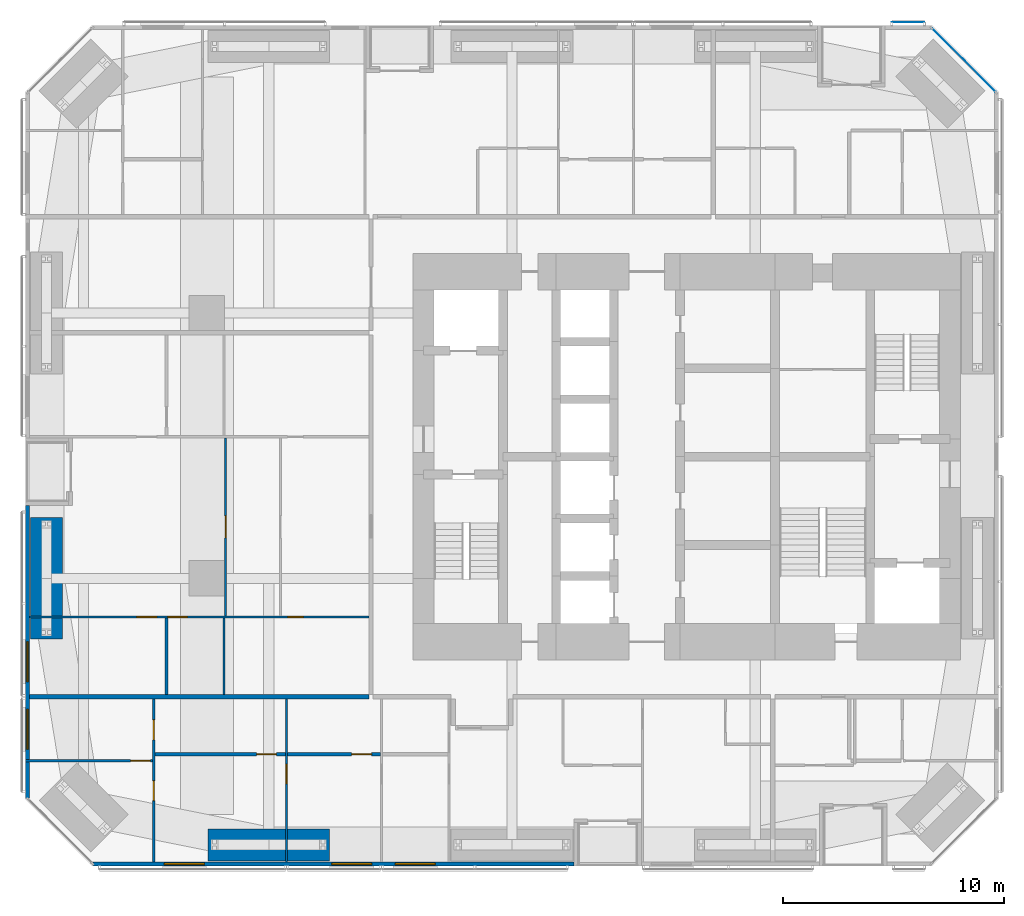
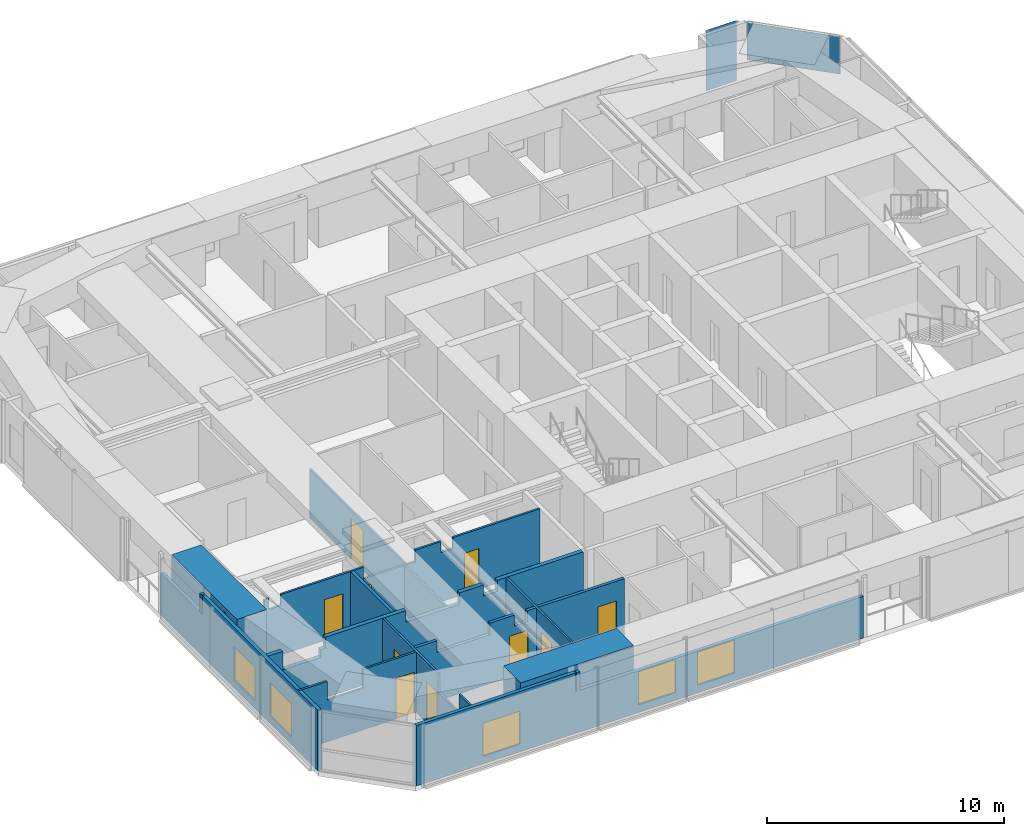
# One storey, part 17 of 24: 14 walls, 10 doors, 5 windows, 2 plates, 15 openings, 2 elements without a shape of their own.
"""IFC4 building model written with IfcOpenShell, lengths in metres."""

from ifc_helpers import new_model, si_unit, direction, frame, frame_2d, origin, origin_2d, place, context, subcontext, project, spatial, polyline, rectangle, outline, extrude, material, layer, layer_set, constituent, constituent_set, type_object, element, fill, aggregate, save


model = new_model("IFC4")

# Units and contexts
model_context = context("Model", 3, precision=1e-05, world=origin(), true_north=direction((0.0, 1.0)))
body_context = subcontext(model_context, "Body", "Model", "MODEL_VIEW")
ifc_project = project(units=[si_unit("LENGTHUNIT", "METRE"), si_unit("AREAUNIT", "SQUARE_METRE"), si_unit("VOLUMEUNIT", "CUBIC_METRE"), si_unit("PLANEANGLEUNIT", "RADIAN"), si_unit("MASSUNIT", "GRAM", prefix="KILO")], contexts=[model_context])

# Site, building, storey
site_placement = place(None, origin())
site = spatial("IfcSite", under=ifc_project, at=site_placement, CompositionType="ELEMENT")
building_placement = place(site_placement, origin())
building = spatial("IfcBuilding", under=site, at=building_placement, Name="Jalousie Tower", CompositionType="ELEMENT")
storey_placement = place(building_placement, frame((0.0, 0.0, 54.5)))
storey = spatial("IfcBuildingStorey", under=building, at=storey_placement, Name="L14", CompositionType="ELEMENT", Elevation=54.5)

# Curtain wall, plate
ifc_material_1 = material(Name="Aluminium curtain wall", Category="aluminium")
curtain_wall_type_1 = type_object("IfcCurtainWallType", Name="CORNER WINDOW WALL", PredefinedType="USERDEFINED", material=ifc_material_1)
curtain_wall_1_placement = place(storey_placement, origin())
curtain_wall_1 = element("IfcCurtainWall", 1, at=curtain_wall_1_placement, inside=storey, type_object=curtain_wall_type_1, Name="Corner Window Wall L14 4", ObjectType="CORNER WINDOW WALL", PredefinedType="USERDEFINED")
ifc_material_2 = material(Name="Laminated impact-rated spandrel glass", Category="glass")
ifc_layer_1 = layer(ifc_material_2, 0.028076171875)
ifc_layer_set_1 = layer_set([ifc_layer_1], Name="Laminated impact-rated spandrel glass")
plate_type_1 = type_object("IfcPlateType", Name="CORNER WINDOW WALL PANEL", PredefinedType="CURTAIN_PANEL", material=ifc_layer_set_1)
plate_1_placement = place(storey_placement, frame((44.4306640625, 36.4306640625, 1.130126953125), z_axis=(0.0, 0.0, 1.0), x_axis=(-0.707106781187, 0.707106781187, 0.0)))
plate_1 = element("IfcPlate", 2, at=plate_1_placement, type_object=plate_type_1, Name="CW-C panel 1.2", PredefinedType="CURTAIN_PANEL", context=body_context, shape_type="SweptSolid", body=[
    extrude(rectangle(XDim=4.071533203125, YDim=0.028076171875, at=origin_2d()), origin(), (0.0, 0.0, 1.0), 1.919921875),
])
aggregate(curtain_wall_1, [plate_1])

ifc_material_3 = material(Name="Perforated aluminium sheet", Category="aluminium")
curtain_wall_type_2 = type_object("IfcCurtainWallType", Name="SOLAR SCREEN SS-1", PredefinedType="USERDEFINED", material=ifc_material_3)
curtain_wall_2_placement = place(storey_placement, origin())
curtain_wall_2 = element("IfcCurtainWall", 3, at=curtain_wall_2_placement, inside=storey, type_object=curtain_wall_type_2, Name="Solar screen L14", ObjectType="SOLAR SCREEN SS-1", PredefinedType="USERDEFINED")
ifc_material_4 = material(Name="Perforated aluminium sheet", Category="aluminium")
ifc_layer_2 = layer(ifc_material_4, 0.006103515625)
ifc_layer_set_2 = layer_set([ifc_layer_2], Name="Perforated aluminium sheet")
plate_type_2 = type_object("IfcPlateType", Name="SOLAR SCREEN SS-1 PANEL", PredefinedType="CURTAIN_PANEL", material=ifc_layer_set_2)
plate_2_placement = place(storey_placement, frame((41.9111328125, 38.150390625, 0.0), z_axis=(0.0, 0.0, 1.0), x_axis=(-1.0, 0.0, 0.0)))
plate_2 = element("IfcPlate", 4, at=plate_2_placement, type_object=plate_type_2, Name="SS1 perforated panel 1", PredefinedType="CURTAIN_PANEL", context=body_context, shape_type="SweptSolid", body=[
    extrude(rectangle(XDim=1.47509765625, YDim=0.006103515625, at=origin_2d()), origin(), (0.0, 0.0, 1.0), 3.110107421875),
])
aggregate(curtain_wall_2, [plate_2])

# Wall, opening, door
ifc_material_5 = material(Name="Concrete block ASTM C90", Category="concrete")
ifc_constituent_1 = constituent(ifc_material_5, Name="Body")
ifc_material_6 = material(Name="Render")
ifc_constituent_2 = constituent(ifc_material_6, Name="Finish")
ifc_constituent_set_1 = constituent_set(constituents=[ifc_constituent_1, ifc_constituent_2])
wall_type_1 = type_object("IfcWallType", Name="BATHROOM WALL 150", PredefinedType="PLUMBINGWALL", material=ifc_constituent_set_1)
wall_1_placement = place(storey_placement, frame((7.85009765625, 5.050048828125, 0.0), z_axis=(0.0, 0.0, 1.0), x_axis=(1.0, 0.0, 0.0)))
wall_1 = element("IfcWall", 5, at=wall_1_placement, inside=storey, type_object=wall_type_1, Name="Bathroom Wall 150 L14", PredefinedType="PLUMBINGWALL", context=body_context, shape_type="SweptSolid", body=[
    extrude(outline(polyline([(0.0, 0.0), (5.89990234375, 0.0), (5.89990234375, 3.110107421875), (5.46240234375, 3.110107421875), (5.46240234375, 2.541015625), (4.837646484375, 2.541015625), (4.837646484375, 3.110107421875), (3.635009765625, 3.110107421875), (3.635009765625, 2.510009765625), (1.06494140625, 2.510009765625), (1.06494140625, 3.110107421875), (0.0, 3.110107421875), (0.0, 0.0)])), frame((0.0, 0.074951171875, 0.0), z_axis=(0.0, -1.0, 0.0), x_axis=(1.0, 0.0, 0.0)), (0.0, 0.0, 1.0), 0.14990234375),
])
opening_1_placement = place(wall_1_placement, frame((4.60009765625, 0.0, 0.0)))
opening_1 = element("IfcOpeningElement", 6, at=opening_1_placement, cuts=wall_1, Name="Opening D3", PredefinedType="OPENING", context=body_context, shape_type="SweptSolid", body=[
    extrude(rectangle(XDim=0.89990234375, YDim=2.10009765625, at=frame_2d((0.449951171875, 1.050048828125))), frame((0.0, 0.0849609375, 0.0), z_axis=(0.0, -1.0, 0.0), x_axis=(1.0, 0.0, 0.0)), (0.0, 0.0, 1.0), 0.169921875),
])
ifc_material_7 = material(Name="Timber door", Category="wood")
door_type_1 = type_object("IfcDoorType", Name="BATHROOM DOOR 900", OperationType="SINGLE_SWING_LEFT", PredefinedType="DOOR", material=ifc_material_7)
door_1_placement = place(opening_1_placement, origin())
door_1 = element("IfcDoor", 7, at=door_1_placement, inside=storey, type_object=door_type_1, Name="Apartment 1401 bedroom 2 bathroom door", OperationType="SINGLE_SWING_RIGHT", OverallHeight=2.10009765625, OverallWidth=0.89990234375, PredefinedType="DOOR", context=body_context, shape_type="SweptSolid", body=[
    extrude(rectangle(XDim=0.89990234375, YDim=2.10009765625, at=frame_2d((0.449951171875, 1.050048828125))), frame((0.0, 0.02490234375, 0.0), z_axis=(0.0, -1.0, 0.0), x_axis=(1.0, 0.0, 0.0)), (0.0, 0.0, 1.0), 0.050048828125),
])
fill(opening_1, door_1)

wall_2_placement = place(storey_placement, frame((13.85009765625, 5.050048828125, 0.0), z_axis=(0.0, 0.0, 1.0), x_axis=(1.0, 0.0, 0.0)))
wall_2 = element("IfcWall", 8, at=wall_2_placement, inside=storey, type_object=wall_type_1, Name="Bathroom Wall 150 L14", PredefinedType="PLUMBINGWALL", context=body_context, shape_type="SweptSolid", body=[
    extrude(rectangle(XDim=4.199951171875, YDim=0.14990234375, at=frame_2d((2.10009765625, 0.0))), origin(), (0.0, 0.0, 1.0), 3.110107421875),
])
opening_2_placement = place(wall_2_placement, frame((2.89990234375, 0.0, 0.0)))
opening_2 = element("IfcOpeningElement", 9, at=opening_2_placement, cuts=wall_2, Name="Opening D3", PredefinedType="OPENING", context=body_context, shape_type="SweptSolid", body=[
    extrude(rectangle(XDim=0.89990234375, YDim=2.10009765625, at=frame_2d((0.449951171875, 1.050048828125))), frame((0.0, 0.0849609375, 0.0), z_axis=(0.0, -1.0, 0.0), x_axis=(1.0, 0.0, 0.0)), (0.0, 0.0, 1.0), 0.169921875),
])
door_2_placement = place(opening_2_placement, origin())
door_2 = element("IfcDoor", 10, at=door_2_placement, inside=storey, type_object=door_type_1, Name="Apartment 1401 bedroom 3 bathroom door", OperationType="SINGLE_SWING_RIGHT", OverallHeight=2.10009765625, OverallWidth=0.89990234375, PredefinedType="DOOR", context=body_context, shape_type="SweptSolid", body=[
    extrude(rectangle(XDim=0.89990234375, YDim=2.10009765625, at=frame_2d((0.449951171875, 1.050048828125))), frame((0.0, 0.02490234375, 0.0), z_axis=(0.0, -1.0, 0.0), x_axis=(1.0, 0.0, 0.0)), (0.0, 0.0, 1.0), 0.050048828125),
])
fill(opening_2, door_2)

# Wall
wall_3_placement = place(storey_placement, frame((8.375, 7.75, 0.0), z_axis=(0.0, 0.0, 1.0), x_axis=(0.0, 1.0, 0.0)))
element("IfcWall", 11, at=wall_3_placement, inside=storey, type_object=wall_type_1, Name="Bathroom Wall 150 L14", PredefinedType="PLUMBINGWALL", context=body_context, shape_type="SweptSolid", body=[
    extrude(rectangle(XDim=3.449951171875, YDim=0.14990234375, at=frame_2d((1.72509765625, 0.0))), origin(), (0.0, 0.0, 1.0), 3.110107421875),
])

# Wall, openings, windows
ifc_material_8 = material(Name="Concrete f'c 40 MPa", Category="concrete")
ifc_constituent_3 = constituent(ifc_material_8, Name="Body")
ifc_material_9 = material(Name="Render, pastel coral")
ifc_constituent_4 = constituent(ifc_material_9, Name="Finish")
ifc_constituent_set_2 = constituent_set(constituents=[ifc_constituent_3, ifc_constituent_4])
wall_type_2 = type_object("IfcWallType", Name="EXTERNAL WALL 175 CORAL RENDER", PredefinedType="SOLIDWALL", material=ifc_constituent_set_2)
wall_4_placement = place(storey_placement, frame((5.05126953125, 0.08740234375, 0.0), z_axis=(0.0, 0.0, 1.0), x_axis=(1.0, 0.0, 0.0)))
wall_4 = element("IfcWall", 12, at=wall_4_placement, inside=storey, type_object=wall_type_2, Name="External Wall 175 Coral Render L14", PredefinedType="SOLIDWALL", context=body_context, shape_type="SweptSolid", body=[
    extrude(outline(polyline([(0.0, 0.0), (21.748779296875, 0.0), (21.748779296875, 2.14990234375), (7.94873046875, 2.14990234375), (7.94873046875, 3.110107421875), (7.79296875, 3.110107421875), (7.79296875, 2.14990234375), (7.74462890625, 2.14990234375), (7.74462890625, 3.110107421875), (0.0, 3.110107421875), (0.0, 0.0)])), frame((0.0, 0.08740234375, 0.0), z_axis=(0.0, -1.0, 0.0), x_axis=(1.0, 0.0, 0.0)), (0.0, 0.0, 1.0), 0.175048828125),
])
opening_3_placement = place(wall_4_placement, frame((3.233642578125, 0.0, 0.39990234375)))
opening_3 = element("IfcOpeningElement", 13, at=opening_3_placement, cuts=wall_4, Name="Opening W-BED170", PredefinedType="OPENING", context=body_context, shape_type="SweptSolid", body=[
    extrude(rectangle(XDim=1.800048828125, YDim=1.699951171875, at=frame_2d((0.89990234375, 0.85009765625))), frame((0.0, 0.097412109375, 0.0), z_axis=(0.0, -1.0, 0.0), x_axis=(1.0, 0.0, 0.0)), (0.0, 0.0, 1.0), 0.195068359375),
])
opening_4_placement = place(wall_4_placement, frame((10.80615234375, 0.0, 0.39990234375)))
opening_4 = element("IfcOpeningElement", 14, at=opening_4_placement, cuts=wall_4, Name="Opening W-BED170", PredefinedType="OPENING", context=body_context, shape_type="SweptSolid", body=[
    extrude(rectangle(XDim=1.800048828125, YDim=1.699951171875, at=frame_2d((0.89990234375, 0.85009765625))), frame((0.0, 0.097412109375, 0.0), z_axis=(0.0, -1.0, 0.0), x_axis=(1.0, 0.0, 0.0)), (0.0, 0.0, 1.0), 0.195068359375),
])
opening_5_placement = place(wall_4_placement, frame((13.673583984375, 0.0, 0.39990234375)))
opening_5 = element("IfcOpeningElement", 15, at=opening_5_placement, cuts=wall_4, Name="Opening W-BED170", PredefinedType="OPENING", context=body_context, shape_type="SweptSolid", body=[
    extrude(rectangle(XDim=1.800048828125, YDim=1.699951171875, at=frame_2d((0.89990234375, 0.85009765625))), frame((0.0, 0.097412109375, 0.0), z_axis=(0.0, -1.0, 0.0), x_axis=(1.0, 0.0, 0.0)), (0.0, 0.0, 1.0), 0.195068359375),
])
ifc_material_10 = material(Name="Aluminium frame, impact-rated glazing", Category="aluminium")
window_type = type_object("IfcWindowType", Name="WINDOW BED 1800x1700", PartitioningType="SINGLE_PANEL", PredefinedType="WINDOW", material=ifc_material_10)
window_1_placement = place(opening_3_placement, origin())
window_1 = element("IfcWindow", 16, at=window_1_placement, inside=storey, type_object=window_type, Name="Apartment 1401 bedroom 2 window", OverallHeight=1.699951171875, OverallWidth=1.800048828125, PartitioningType="SINGLE_PANEL", PredefinedType="WINDOW", context=body_context, shape_type="SweptSolid", body=[
    extrude(rectangle(XDim=1.800048828125, YDim=1.699951171875, at=frame_2d((0.89990234375, 0.85009765625))), frame((0.0, 0.030029296875, 0.0), z_axis=(0.0, -1.0, 0.0), x_axis=(1.0, 0.0, 0.0)), (0.0, 0.0, 1.0), 0.06005859375),
])
fill(opening_3, window_1)
window_2_placement = place(opening_4_placement, origin())
window_2 = element("IfcWindow", 17, at=window_2_placement, inside=storey, type_object=window_type, Name="Apartment 1401 bedroom 3 window", OverallHeight=1.699951171875, OverallWidth=1.800048828125, PartitioningType="SINGLE_PANEL", PredefinedType="WINDOW", context=body_context, shape_type="SweptSolid", body=[
    extrude(rectangle(XDim=1.800048828125, YDim=1.699951171875, at=frame_2d((0.89990234375, 0.85009765625))), frame((0.0, 0.030029296875, 0.0), z_axis=(0.0, -1.0, 0.0), x_axis=(1.0, 0.0, 0.0)), (0.0, 0.0, 1.0), 0.06005859375),
])
fill(opening_4, window_2)
window_3_placement = place(opening_5_placement, origin())
window_3 = element("IfcWindow", 18, at=window_3_placement, inside=storey, type_object=window_type, Name="Apartment 1401 bedroom 4 window", OverallHeight=1.699951171875, OverallWidth=1.800048828125, PartitioningType="SINGLE_PANEL", PredefinedType="WINDOW", context=body_context, shape_type="SweptSolid", body=[
    extrude(rectangle(XDim=1.800048828125, YDim=1.699951171875, at=frame_2d((0.89990234375, 0.85009765625))), frame((0.0, 0.030029296875, 0.0), z_axis=(0.0, -1.0, 0.0), x_axis=(1.0, 0.0, 0.0)), (0.0, 0.0, 1.0), 0.06005859375),
])
fill(opening_5, window_3)

wall_5_placement = place(storey_placement, frame((2.08740234375, 16.300048828125, 0.0), z_axis=(0.0, 0.0, 1.0), x_axis=(0.0, -1.0, 0.0)))
wall_5 = element("IfcWall", 19, at=wall_5_placement, inside=storey, type_object=wall_type_2, Name="External Wall 175 Coral Render L14", PredefinedType="SOLIDWALL", context=body_context, shape_type="SweptSolid", body=[
    extrude(outline(polyline([(0.0, 0.0), (13.248779296875, 0.0), (13.248779296875, 3.110107421875), (3.5185546875, 3.110107421875), (3.5185546875, 2.14990234375), (3.42578125, 2.14990234375), (3.42578125, 3.110107421875), (3.300048828125, 3.110107421875), (3.300048828125, 2.14990234375), (0.0, 2.14990234375), (0.0, 0.0)])), frame((0.0, 0.08740234375, 0.0), z_axis=(0.0, -1.0, 0.0), x_axis=(1.0, 0.0, 0.0)), (0.0, 0.0, 1.0), 0.175048828125),
])
opening_6_placement = place(wall_5_placement, frame((6.175048828125, 0.0, 0.39990234375)))
opening_6 = element("IfcOpeningElement", 20, at=opening_6_placement, cuts=wall_5, Name="Opening W-BED170", PredefinedType="OPENING", context=body_context, shape_type="SweptSolid", body=[
    extrude(rectangle(XDim=1.800048828125, YDim=1.699951171875, at=frame_2d((0.89990234375, 0.85009765625))), frame((0.0, 0.097412109375, 0.0), z_axis=(0.0, -1.0, 0.0), x_axis=(1.0, 0.0, 0.0)), (0.0, 0.0, 1.0), 0.195068359375),
])
opening_7_placement = place(wall_5_placement, frame((9.226806640625, 0.0, 0.39990234375)))
opening_7 = element("IfcOpeningElement", 21, at=opening_7_placement, cuts=wall_5, Name="Opening W-BED170", PredefinedType="OPENING", context=body_context, shape_type="SweptSolid", body=[
    extrude(rectangle(XDim=1.800048828125, YDim=1.699951171875, at=frame_2d((0.89990234375, 0.85009765625))), frame((0.0, 0.097412109375, 0.0), z_axis=(0.0, -1.0, 0.0), x_axis=(1.0, 0.0, 0.0)), (0.0, 0.0, 1.0), 0.195068359375),
])
window_4_placement = place(opening_6_placement, origin())
window_4 = element("IfcWindow", 22, at=window_4_placement, inside=storey, type_object=window_type, Name="Apartment 1405 bedroom 1 window", OverallHeight=1.699951171875, OverallWidth=1.800048828125, PartitioningType="SINGLE_PANEL", PredefinedType="WINDOW", context=body_context, shape_type="SweptSolid", body=[
    extrude(rectangle(XDim=1.800048828125, YDim=1.699951171875, at=frame_2d((0.89990234375, 0.85009765625))), frame((0.0, 0.030029296875, 0.0), z_axis=(0.0, -1.0, 0.0), x_axis=(1.0, 0.0, 0.0)), (0.0, 0.0, 1.0), 0.06005859375),
])
fill(opening_6, window_4)
window_5_placement = place(opening_7_placement, origin())
window_5 = element("IfcWindow", 23, at=window_5_placement, inside=storey, type_object=window_type, Name="Apartment 1401 bedroom 1 window", OverallHeight=1.699951171875, OverallWidth=1.800048828125, PartitioningType="SINGLE_PANEL", PredefinedType="WINDOW", context=body_context, shape_type="SweptSolid", body=[
    extrude(rectangle(XDim=1.800048828125, YDim=1.699951171875, at=frame_2d((0.89990234375, 0.85009765625))), frame((0.0, 0.030029296875, 0.0), z_axis=(0.0, -1.0, 0.0), x_axis=(1.0, 0.0, 0.0)), (0.0, 0.0, 1.0), 0.06005859375),
])
fill(opening_7, window_5)

# Wall, openings, doors
ifc_material_11 = material(Name="Gypsum board", Category="gypsum")
ifc_constituent_5 = constituent(ifc_material_11, Name="Body")
ifc_material_12 = material(Name="Light-gauge steel studs ASTM A653 SS Grade 33", Category="steel")
ifc_constituent_6 = constituent(ifc_material_12, Name="Framing")
ifc_constituent_set_3 = constituent_set(constituents=[ifc_constituent_5, ifc_constituent_6])
wall_type_3 = type_object("IfcWallType", Name="PARTITION 100", PredefinedType="PARTITIONING", material=ifc_constituent_set_3)
wall_6_placement = place(storey_placement, frame((7.800048828125, 0.175048828125, 0.0), z_axis=(0.0, 0.0, 1.0), x_axis=(0.0, 1.0, 0.0)))
wall_6 = element("IfcWall", 24, at=wall_6_placement, inside=storey, type_object=wall_type_3, Name="Partition 100 L14", PredefinedType="PARTITIONING", context=body_context, shape_type="SweptSolid", body=[
    extrude(outline(polyline([(0.0, 0.0), (7.375, 0.0), (7.375, 3.110107421875), (2.697021484375, 3.110107421875), (2.697021484375, 2.14990234375), (0.942626953125, 2.14990234375), (0.942626953125, 3.110107421875), (0.0, 3.110107421875), (0.0, 0.0)])), frame((0.0, 0.050048828125, 0.0), z_axis=(0.0, -1.0, 0.0), x_axis=(1.0, 0.0, 0.0)), (0.0, 0.0, 1.0), 0.10009765625),
])
opening_8_placement = place(wall_6_placement, frame((2.771728515625, 0.0, 0.0)))
opening_8 = element("IfcOpeningElement", 25, at=opening_8_placement, cuts=wall_6, Name="Opening D2", PredefinedType="OPENING", context=body_context, shape_type="SweptSolid", body=[
    extrude(rectangle(XDim=0.89990234375, YDim=2.10009765625, at=frame_2d((0.449951171875, 1.050048828125))), frame((0.0, 0.06005859375, 0.0), z_axis=(0.0, -1.0, 0.0), x_axis=(1.0, 0.0, 0.0)), (0.0, 0.0, 1.0), 0.1201171875),
])
opening_9_placement = place(wall_6_placement, frame((5.523193359375, 0.0, 0.0)))
opening_9 = element("IfcOpeningElement", 26, at=opening_9_placement, cuts=wall_6, Name="Opening D3", PredefinedType="OPENING", context=body_context, shape_type="SweptSolid", body=[
    extrude(rectangle(XDim=0.89990234375, YDim=2.10009765625, at=frame_2d((0.449951171875, 1.050048828125))), frame((0.0, 0.06005859375, 0.0), z_axis=(0.0, -1.0, 0.0), x_axis=(1.0, 0.0, 0.0)), (0.0, 0.0, 1.0), 0.1201171875),
])
door_3_placement = place(opening_9_placement, frame((0.89990234375, 0.0, 0.0), z_axis=(0.0, 0.0, 1.0), x_axis=(-1.0, 0.0, 0.0)))
door_3 = element("IfcDoor", 27, at=door_3_placement, inside=storey, type_object=door_type_1, Name="Apartment 1401 bedroom 1 bathroom door", OperationType="SINGLE_SWING_RIGHT", OverallHeight=2.10009765625, OverallWidth=0.89990234375, PredefinedType="DOOR", context=body_context, shape_type="SweptSolid", body=[
    extrude(rectangle(XDim=0.89990234375, YDim=2.10009765625, at=frame_2d((0.449951171875, 1.050048828125))), frame((0.0, 0.02490234375, 0.0), z_axis=(0.0, -1.0, 0.0), x_axis=(1.0, 0.0, 0.0)), (0.0, 0.0, 1.0), 0.050048828125),
])
fill(opening_9, door_3)
ifc_material_13 = material(Name="Timber door", Category="wood")
door_type_2 = type_object("IfcDoorType", Name="BEDROOM DOOR 900", OperationType="SINGLE_SWING_LEFT", PredefinedType="DOOR", material=ifc_material_13)
door_4_placement = place(opening_8_placement, frame((0.89990234375, 0.0, 0.0), z_axis=(0.0, 0.0, 1.0), x_axis=(-1.0, 0.0, 0.0)))
door_4 = element("IfcDoor", 28, at=door_4_placement, inside=storey, type_object=door_type_2, Name="Apartment 1401 bedroom 1 door", OperationType="SINGLE_SWING_LEFT", OverallHeight=2.10009765625, OverallWidth=0.89990234375, PredefinedType="DOOR", context=body_context, shape_type="SweptSolid", body=[
    extrude(rectangle(XDim=0.89990234375, YDim=2.10009765625, at=frame_2d((0.449951171875, 1.050048828125))), frame((0.0, 0.02490234375, 0.0), z_axis=(0.0, -1.0, 0.0), x_axis=(1.0, 0.0, 0.0)), (0.0, 0.0, 1.0), 0.050048828125),
])
fill(opening_8, door_4)

# Wall, opening, door
wall_7_placement = place(storey_placement, frame((13.800048828125, 0.175048828125, 0.0), z_axis=(0.0, 0.0, 1.0), x_axis=(0.0, 1.0, 0.0)))
wall_7 = element("IfcWall", 29, at=wall_7_placement, inside=storey, type_object=wall_type_3, Name="Partition 100 L14", PredefinedType="PARTITIONING", context=body_context, shape_type="SweptSolid", body=[
    extrude(outline(polyline([(1.635009765625, 2.14990234375), (0.0, 2.14990234375), (0.0, 0.0), (7.375, 0.0), (7.375, 3.110107421875), (1.635009765625, 3.110107421875), (1.635009765625, 2.14990234375)]), holes=[polyline([(1.021240234375, 0.133056640625), (0.52880859375, 0.133056640625), (0.52880859375, 0.923095703125), (1.021240234375, 0.923095703125), (1.021240234375, 0.133056640625)]), polyline([(1.021240234375, 1.22705078125), (0.52880859375, 1.22705078125), (0.52880859375, 2.016845703125), (1.021240234375, 2.016845703125), (1.021240234375, 1.22705078125)])]), frame((0.0, 0.050048828125, 0.0), z_axis=(0.0, -1.0, 0.0), x_axis=(1.0, 0.0, 0.0)), (0.0, 0.0, 1.0), 0.10009765625),
])
opening_10_placement = place(wall_7_placement, frame((3.52490234375, 0.0, 0.0)))
opening_10 = element("IfcOpeningElement", 30, at=opening_10_placement, cuts=wall_7, Name="Opening D2", PredefinedType="OPENING", context=body_context, shape_type="SweptSolid", body=[
    extrude(rectangle(XDim=0.89990234375, YDim=2.10009765625, at=frame_2d((0.449951171875, 1.050048828125))), frame((0.0, 0.06005859375, 0.0), z_axis=(0.0, -1.0, 0.0), x_axis=(1.0, 0.0, 0.0)), (0.0, 0.0, 1.0), 0.1201171875),
])
door_5_placement = place(opening_10_placement, origin())
door_5 = element("IfcDoor", 31, at=door_5_placement, inside=storey, type_object=door_type_2, Name="Apartment 1401 bedroom 2 door", OperationType="SINGLE_SWING_RIGHT", OverallHeight=2.10009765625, OverallWidth=0.89990234375, PredefinedType="DOOR", context=body_context, shape_type="SweptSolid", body=[
    extrude(rectangle(XDim=0.89990234375, YDim=2.10009765625, at=frame_2d((0.449951171875, 1.050048828125))), frame((0.0, 0.02490234375, 0.0), z_axis=(0.0, -1.0, 0.0), x_axis=(1.0, 0.0, 0.0)), (0.0, 0.0, 1.0), 0.050048828125),
])
fill(opening_10, door_5)

wall_8_placement = place(storey_placement, frame((2.0, 4.74658203125, 0.0), z_axis=(0.0, 0.0, 1.0), x_axis=(1.0, 0.0, 0.0)))
wall_8 = element("IfcWall", 32, at=wall_8_placement, inside=storey, type_object=wall_type_3, Name="Partition 100 L14", PredefinedType="PARTITIONING", context=body_context, shape_type="SweptSolid", body=[
    extrude(outline(polyline([(0.0, 0.0), (5.75, 0.0), (5.75, 3.110107421875), (3.15966796875, 3.110107421875), (3.15966796875, 2.14990234375), (1.4169921875, 2.14990234375), (1.4169921875, 3.110107421875), (0.0, 3.110107421875), (0.0, 0.0)])), frame((0.0, 0.050048828125, 0.0), z_axis=(0.0, -1.0, 0.0), x_axis=(1.0, 0.0, 0.0)), (0.0, 0.0, 1.0), 0.10009765625),
])
opening_11_placement = place(wall_8_placement, frame((4.75, 0.0, 0.0)))
opening_11 = element("IfcOpeningElement", 33, at=opening_11_placement, cuts=wall_8, Name="Opening D7", PredefinedType="OPENING", context=body_context, shape_type="SweptSolid", body=[
    extrude(rectangle(XDim=0.89990234375, YDim=2.10009765625, at=frame_2d((0.449951171875, 1.050048828125))), frame((0.0, 0.06005859375, 0.0), z_axis=(0.0, -1.0, 0.0), x_axis=(1.0, 0.0, 0.0)), (0.0, 0.0, 1.0), 0.1201171875),
])
ifc_material_14 = material(Name="Timber door", Category="wood")
door_type_3 = type_object("IfcDoorType", Name="INTERNAL DOOR 900", OperationType="SINGLE_SWING_LEFT", PredefinedType="DOOR", material=ifc_material_14)
door_6_placement = place(opening_11_placement, origin())
door_6 = element("IfcDoor", 34, at=door_6_placement, inside=storey, type_object=door_type_3, Name="Apartment 1401 bedroom 1 dressing hall door", OperationType="SINGLE_SWING_RIGHT", OverallHeight=2.10009765625, OverallWidth=0.89990234375, PredefinedType="DOOR", context=body_context, shape_type="SweptSolid", body=[
    extrude(rectangle(XDim=0.89990234375, YDim=2.10009765625, at=frame_2d((0.449951171875, 1.050048828125))), frame((0.0, 0.02490234375, 0.0), z_axis=(0.0, -1.0, 0.0), x_axis=(1.0, 0.0, 0.0)), (0.0, 0.0, 1.0), 0.050048828125),
])
fill(opening_11, door_6)

# Wall, openings, doors
wall_9_placement = place(storey_placement, frame((2.175048828125, 11.25, 0.0), z_axis=(0.0, 0.0, 1.0), x_axis=(1.0, 0.0, 0.0)))
wall_9 = element("IfcWall", 35, at=wall_9_placement, inside=storey, type_object=wall_type_3, Name="Partition 100 L14", PredefinedType="PARTITIONING", context=body_context, shape_type="SweptSolid", body=[
    extrude(outline(polyline([(0.1875, 3.110107421875), (0.0, 3.110107421875), (0.0, 0.0), (0.52880859375, 0.0), (0.52880859375, 0.2734375), (1.021240234375, 0.2734375), (1.021240234375, 0.0), (15.35009765625, 0.0), (15.35009765625, 3.110107421875), (11.1123046875, 3.110107421875), (11.1123046875, 2.541015625), (10.53759765625, 2.541015625), (10.53759765625, 3.110107421875), (9.284912109375, 3.110107421875), (9.284912109375, 2.510009765625), (6.764892578125, 2.510009765625), (6.764892578125, 3.110107421875), (2.743896484375, 3.110107421875), (2.743896484375, 2.541015625), (2.169189453125, 2.541015625), (2.169189453125, 3.110107421875), (1.929931640625, 3.110107421875), (1.929931640625, 2.14990234375), (1.021240234375, 2.14990234375), (1.021240234375, 1.87646484375), (0.52880859375, 1.87646484375), (0.52880859375, 2.14990234375), (0.1875, 2.14990234375), (0.1875, 3.110107421875)])), frame((0.0, 0.050048828125, 0.0), z_axis=(0.0, -1.0, 0.0), x_axis=(1.0, 0.0, 0.0)), (0.0, 0.0, 1.0), 0.10009765625),
])
opening_12_placement = place(wall_9_placement, frame((4.85009765625, 0.0, 0.0)))
opening_12 = element("IfcOpeningElement", 36, at=opening_12_placement, cuts=wall_9, Name="Opening D2", PredefinedType="OPENING", context=body_context, shape_type="SweptSolid", body=[
    extrude(rectangle(XDim=0.89990234375, YDim=2.10009765625, at=frame_2d((0.449951171875, 1.050048828125))), frame((0.0, 0.06005859375, 0.0), z_axis=(0.0, -1.0, 0.0), x_axis=(1.0, 0.0, 0.0)), (0.0, 0.0, 1.0), 0.1201171875),
])
opening_13_placement = place(wall_9_placement, frame((6.25, 0.0, 0.0)))
opening_13 = element("IfcOpeningElement", 37, at=opening_13_placement, cuts=wall_9, Name="Opening D7", PredefinedType="OPENING", context=body_context, shape_type="SweptSolid", body=[
    extrude(rectangle(XDim=0.89990234375, YDim=2.10009765625, at=frame_2d((0.449951171875, 1.050048828125))), frame((0.0, 0.06005859375, 0.0), z_axis=(0.0, -1.0, 0.0), x_axis=(1.0, 0.0, 0.0)), (0.0, 0.0, 1.0), 0.1201171875),
])
opening_14_placement = place(wall_9_placement, frame((11.675048828125, 0.0, 0.0)))
opening_14 = element("IfcOpeningElement", 38, at=opening_14_placement, cuts=wall_9, Name="Opening D4", PredefinedType="OPENING", context=body_context, shape_type="SweptSolid", body=[
    extrude(rectangle(XDim=0.699951171875, YDim=2.10009765625, at=frame_2d((0.35009765625, 1.050048828125))), frame((0.0, 0.06005859375, 0.0), z_axis=(0.0, -1.0, 0.0), x_axis=(1.0, 0.0, 0.0)), (0.0, 0.0, 1.0), 0.1201171875),
])
door_7_placement = place(opening_12_placement, frame((0.89990234375, 0.0, 0.0), z_axis=(0.0, 0.0, 1.0), x_axis=(-1.0, 0.0, 0.0)))
door_7 = element("IfcDoor", 39, at=door_7_placement, inside=storey, type_object=door_type_2, Name="Apartment 1405 bedroom 1 door", OperationType="SINGLE_SWING_LEFT", OverallHeight=2.10009765625, OverallWidth=0.89990234375, PredefinedType="DOOR", context=body_context, shape_type="SweptSolid", body=[
    extrude(rectangle(XDim=0.89990234375, YDim=2.10009765625, at=frame_2d((0.449951171875, 1.050048828125))), frame((0.0, 0.02490234375, 0.0), z_axis=(0.0, -1.0, 0.0), x_axis=(1.0, 0.0, 0.0)), (0.0, 0.0, 1.0), 0.050048828125),
])
fill(opening_12, door_7)
door_8_placement = place(opening_13_placement, frame((0.89990234375, 0.0, 0.0), z_axis=(0.0, 0.0, 1.0), x_axis=(-1.0, 0.0, 0.0)))
door_8 = element("IfcDoor", 40, at=door_8_placement, inside=storey, type_object=door_type_3, Name="Apartment 1405 bathroom door", OperationType="SINGLE_SWING_RIGHT", OverallHeight=2.10009765625, OverallWidth=0.89990234375, PredefinedType="DOOR", context=body_context, shape_type="SweptSolid", body=[
    extrude(rectangle(XDim=0.89990234375, YDim=2.10009765625, at=frame_2d((0.449951171875, 1.050048828125))), frame((0.0, 0.02490234375, 0.0), z_axis=(0.0, -1.0, 0.0), x_axis=(1.0, 0.0, 0.0)), (0.0, 0.0, 1.0), 0.050048828125),
])
fill(opening_13, door_8)
ifc_material_15 = material(Name="Timber door", Category="wood")
door_type_4 = type_object("IfcDoorType", Name="STORE DOOR 700", OperationType="SINGLE_SWING_LEFT", PredefinedType="DOOR", material=ifc_material_15)
door_9_placement = place(opening_14_placement, frame((0.699951171875, 0.0, 0.0), z_axis=(0.0, 0.0, 1.0), x_axis=(-1.0, 0.0, 0.0)))
door_9 = element("IfcDoor", 41, at=door_9_placement, inside=storey, type_object=door_type_4, Name="Apartment 1405 store door", OperationType="SINGLE_SWING_RIGHT", OverallHeight=2.10009765625, OverallWidth=0.699951171875, PredefinedType="DOOR", context=body_context, shape_type="SweptSolid", body=[
    extrude(rectangle(XDim=0.699951171875, YDim=2.10009765625, at=frame_2d((0.35009765625, 1.050048828125))), frame((0.0, 0.02490234375, 0.0), z_axis=(0.0, -1.0, 0.0), x_axis=(1.0, 0.0, 0.0)), (0.0, 0.0, 1.0), 0.050048828125),
])
fill(opening_14, door_9)

# Wall
wall_10_placement = place(storey_placement, frame((10.97509765625, 7.75, 0.0), z_axis=(0.0, 0.0, 1.0), x_axis=(0.0, 1.0, 0.0)))
element("IfcWall", 42, at=wall_10_placement, inside=storey, type_object=wall_type_3, Name="Partition 100 L14", PredefinedType="PARTITIONING", context=body_context, shape_type="SweptSolid", body=[
    extrude(outline(polyline([(0.0, 0.0), (3.449951171875, 0.0), (3.449951171875, 3.110107421875), (3.449951171875, 2.510009765625), (0.0, 2.510009765625), (0.0, 3.110107421875), (0.0, 0.0)])), frame((0.0, 0.050048828125, 0.0), z_axis=(0.0, -1.0, 0.0), x_axis=(1.0, 0.0, 0.0)), (0.0, 0.0, 1.0), 0.10009765625),
])

# Wall, opening, door
wall_11_placement = place(storey_placement, frame((11.050048828125, 11.300048828125, 0.0), z_axis=(0.0, 0.0, 1.0), x_axis=(0.0, 1.0, 0.0)))
wall_11 = element("IfcWall", 43, at=wall_11_placement, inside=storey, type_object=wall_type_3, Name="Partition 100 L14", PredefinedType="PARTITIONING", context=body_context, shape_type="SweptSolid", body=[
    extrude(rectangle(XDim=8.050048828125, YDim=0.10009765625, at=frame_2d((4.02490234375, 0.0))), origin(), (0.0, 0.0, 1.0), 2.510009765625),
])
opening_15_placement = place(wall_11_placement, frame((3.52490234375, 0.0, 0.0)))
opening_15 = element("IfcOpeningElement", 44, at=opening_15_placement, cuts=wall_11, Name="Opening D6", PredefinedType="OPENING", context=body_context, shape_type="SweptSolid", body=[
    extrude(rectangle(XDim=1.0, YDim=2.10009765625, at=frame_2d((0.5, 1.050048828125))), frame((0.0, 0.06005859375, 0.0), z_axis=(0.0, -1.0, 0.0), x_axis=(1.0, 0.0, 0.0)), (0.0, 0.0, 1.0), 0.1201171875),
])
ifc_material_16 = material(Name="Timber door", Category="wood")
door_type_5 = type_object("IfcDoorType", Name="INTERNAL DOOR 1000", OperationType="SINGLE_SWING_LEFT", PredefinedType="DOOR", material=ifc_material_16)
door_10_placement = place(opening_15_placement, origin())
door_10 = element("IfcDoor", 45, at=door_10_placement, inside=storey, type_object=door_type_5, Name="Apartment 1405 hall door", OperationType="SINGLE_SWING_LEFT", OverallHeight=2.10009765625, OverallWidth=1.0, PredefinedType="DOOR", context=body_context, shape_type="SweptSolid", body=[
    extrude(rectangle(XDim=1.0, YDim=2.10009765625, at=frame_2d((0.5, 1.050048828125))), frame((0.0, 0.02490234375, 0.0), z_axis=(0.0, -1.0, 0.0), x_axis=(1.0, 0.0, 0.0)), (0.0, 0.0, 1.0), 0.050048828125),
])
fill(opening_15, door_10)

# Walls
ifc_material_17 = material(Name="Concrete block ASTM C90", Category="concrete")
ifc_constituent_7 = constituent(ifc_material_17, Name="Body")
ifc_material_18 = material(Name="Render")
ifc_constituent_8 = constituent(ifc_material_18, Name="Finish")
ifc_constituent_set_4 = constituent_set(constituents=[ifc_constituent_7, ifc_constituent_8])
wall_type_4 = type_object("IfcWallType", Name="PARTY WALL 200", PredefinedType="PARTITIONING", material=ifc_constituent_set_4)
wall_12_placement = place(storey_placement, frame((2.0, 7.64990234375, 0.0), z_axis=(0.0, 0.0, 1.0), x_axis=(1.0, 0.0, 0.0)))
element("IfcWall", 46, at=wall_12_placement, inside=storey, type_object=wall_type_4, Name="Party Wall 200 L14", PredefinedType="PARTITIONING", context=body_context, shape_type="SweptSolid", body=[
    extrude(outline(polyline([(0.0, 0.0), (15.52490234375, 0.0), (15.52490234375, 3.110107421875), (11.33740234375, 3.110107421875), (11.33740234375, 2.541015625), (10.66259765625, 2.541015625), (10.66259765625, 3.110107421875), (9.510009765625, 3.110107421875), (9.510009765625, 2.510009765625), (6.889892578125, 2.510009765625), (6.889892578125, 3.110107421875), (2.96875, 3.110107421875), (2.96875, 2.541015625), (2.739501953125, 2.541015625), (2.739501953125, 2.14990234375), (0.895751953125, 2.14990234375), (0.895751953125, 3.110107421875), (0.0, 3.110107421875), (0.0, 0.0)])), frame((0.0, 0.10009765625, 0.0), z_axis=(0.0, -1.0, 0.0), x_axis=(1.0, 0.0, 0.0)), (0.0, 0.0, 1.0), 0.199951171875),
])
ifc_material_19 = material(Name="Concrete f'c 120 MPa", Category="concrete")
ifc_layer_3 = layer(ifc_material_19, 1.449951171875)
ifc_layer_set_3 = layer_set([ifc_layer_3], Name="Concrete f'c 120 MPa")
wall_type_5 = type_object("IfcWallType", Name="RC WALL PIER 1450", PredefinedType="SHEAR", material=ifc_layer_set_3)
for number, where, z_axis, x_axis, name in (
    (47, (10.25, 0.949951171875, 0.0), (0.0, 0.0, 1.0), (1.0, 0.0, 0.0), "Wall pier 02 L14"),
    (48, (2.949951171875, 10.25, 0.0), (0.0, 0.0, 1.0), (0.0, 1.0, 0.0), "Wall pier 14 L14"),
):
    element("IfcWall", number, at=place(storey_placement, frame(where, z_axis=z_axis, x_axis=x_axis)), inside=storey, type_object=wall_type_5, Name=name, PredefinedType="SHEAR", context=body_context, shape_type="SweptSolid", body=[
        extrude(rectangle(XDim=5.5, YDim=1.449951171875, at=frame_2d((2.75, 0.0))), origin(), (0.0, 0.0, 1.0), 3.35009765625),
    ])

save(model, "model.ifc")
